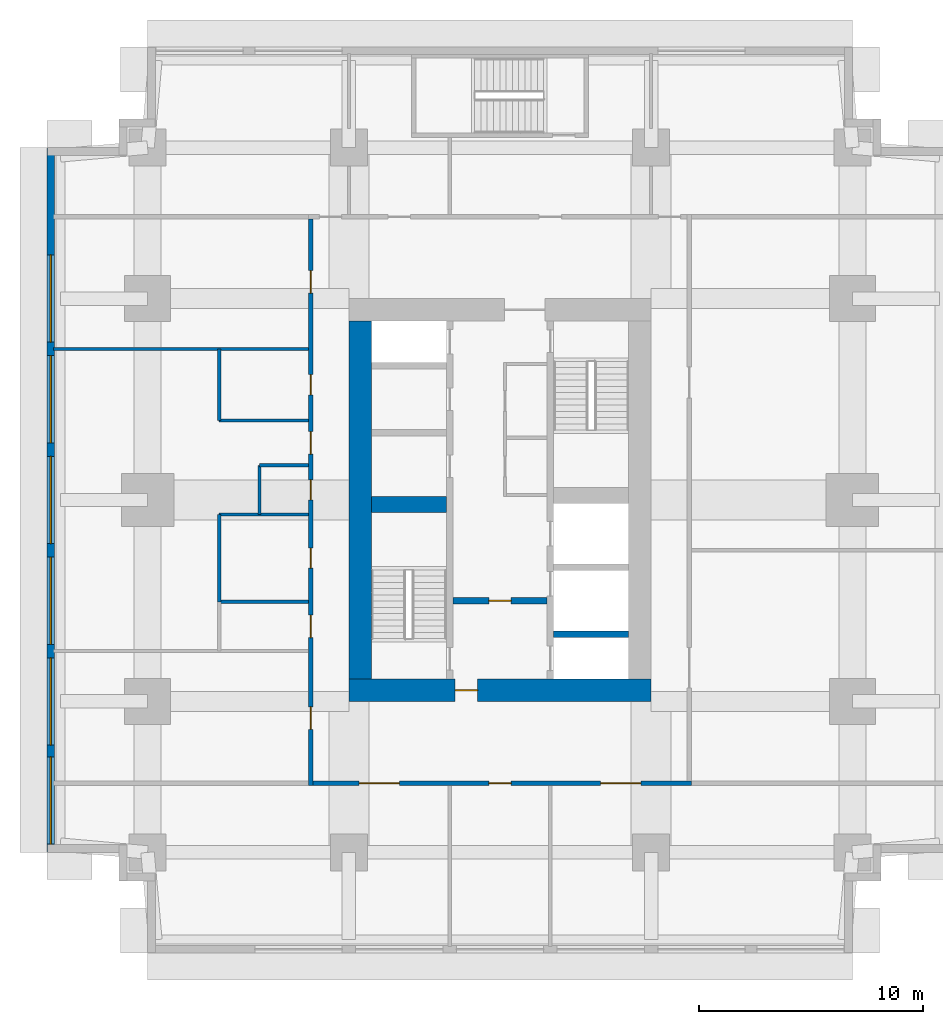
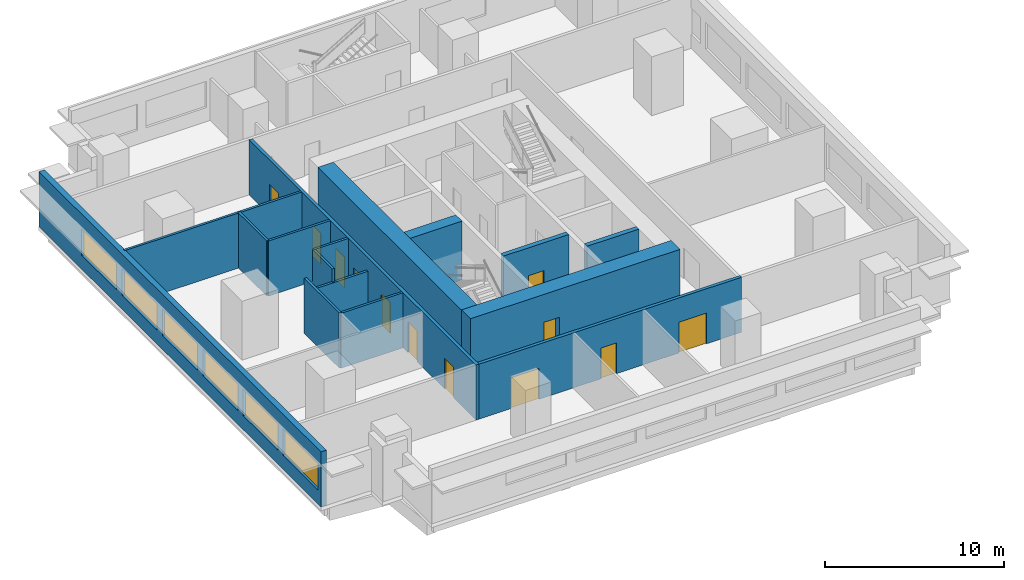
# One storey, part 3 of 11: 16 walls, 12 doors, 6 windows, 18 openings.
"""IFC4 building model written with IfcOpenShell, lengths in metres."""

from ifc_helpers import new_model, si_unit, direction, frame, frame_2d, origin, place, context, subcontext, project, spatial, rectangle, extrude, material, layer, layer_set, type_object, element, fill, save


model = new_model("IFC4")

# Units and contexts
model_context = context("Model", 3, precision=1e-05, world=origin(), true_north=direction((0.0, 1.0)))
body_context = subcontext(model_context, "Body", "Model", "MODEL_VIEW")
ifc_project = project(units=[si_unit("LENGTHUNIT", "METRE"), si_unit("AREAUNIT", "SQUARE_METRE"), si_unit("VOLUMEUNIT", "CUBIC_METRE"), si_unit("PLANEANGLEUNIT", "RADIAN"), si_unit("MASSUNIT", "GRAM", prefix="KILO")], contexts=[model_context])

# Site, building, storey
site_placement = place(None, origin())
site = spatial("IfcSite", under=ifc_project, at=site_placement, CompositionType="ELEMENT")
building_placement = place(site_placement, origin())
building = spatial("IfcBuilding", under=site, at=building_placement, Name="Namib Vertical Campus", CompositionType="ELEMENT")
storey_placement = place(building_placement, frame((0.0, 0.0, 193.0)))
storey = spatial("IfcBuildingStorey", under=building, at=storey_placement, Name="L45", CompositionType="ELEMENT", Elevation=193.0)

# Wall, opening, door
ifc_material_1 = material(Name="Concrete C60/75", Category="concrete")
ifc_layer_1 = layer(ifc_material_1, 0.300048828125)
ifc_layer_set_1 = layer_set([ifc_layer_1], Name="Concrete C60/75")
wall_type_1 = type_object("IfcWallType", Name="Core inner wall 300", PredefinedType="SHEAR", material=ifc_layer_set_1)
wall_1_placement = place(storey_placement, frame((18.14990234375, 15.75, 0.0), z_axis=(0.0, 0.0, 1.0), x_axis=(1.0, 0.0, 0.0)))
wall_1 = element("IfcWall", 1, at=wall_1_placement, inside=storey, type_object=wall_type_1, Name="Core inner wall A L45 W4", PredefinedType="SHEAR", context=body_context, shape_type="SweptSolid", body=[
    extrude(rectangle(XDim=4.2001953125, YDim=0.300048828125, at=frame_2d((2.10009765625, 0.0))), origin(), (0.0, 0.0, 1.0), 4.0),
])
opening_1_placement = place(wall_1_placement, frame((1.60009765625, 0.0, 0.0)))
opening_1 = element("IfcOpeningElement", 2, at=opening_1_placement, cuts=wall_1, Name="Opening FD5", PredefinedType="OPENING", context=body_context, shape_type="SweptSolid", body=[
    extrude(rectangle(XDim=1.0, YDim=2.10009765625, at=frame_2d((0.5, 1.050048828125))), frame((0.0, 0.159912109375, 0.0), z_axis=(0.0, -1.0, 0.0), x_axis=(1.0, 0.0, 0.0)), (0.0, 0.0, 1.0), 0.320068359375),
])
ifc_material_2 = material(Name="Steel fire door", Category="steel")
door_type_1 = type_object("IfcDoorType", Name="Fire door 1000x2100 120 min", OperationType="SINGLE_SWING_RIGHT", PredefinedType="DOOR", material=ifc_material_2)
door_1_placement = place(opening_1_placement, frame((1.0, 0.0, 0.0), z_axis=(0.0, 0.0, 1.0), x_axis=(-1.0, 0.0, 0.0)))
door_1 = element("IfcDoor", 3, at=door_1_placement, inside=storey, type_object=door_type_1, Name="Lobby door FD5 A L45", OperationType="SINGLE_SWING_RIGHT", OverallHeight=2.10009765625, OverallWidth=1.0, PredefinedType="DOOR", context=body_context, shape_type="SweptSolid", body=[
    extrude(rectangle(XDim=1.0, YDim=2.10009765625, at=frame_2d((0.5, 1.050048828125))), frame((0.0, 0.02490234375, 0.0), z_axis=(0.0, -1.0, 0.0), x_axis=(1.0, 0.0, 0.0)), (0.0, 0.0, 1.0), 0.050048828125),
])
fill(opening_1, door_1)

# Walls
wall_2_placement = place(storey_placement, frame((22.64990234375, 14.25, 0.0), z_axis=(0.0, 0.0, 1.0), x_axis=(1.0, 0.0, 0.0)))
element("IfcWall", 4, at=wall_2_placement, inside=storey, type_object=wall_type_1, Name="Core inner wall A L45 W5", PredefinedType="SHEAR", context=body_context, shape_type="SweptSolid", body=[
    extrude(rectangle(XDim=3.35009765625, YDim=0.300048828125, at=frame_2d((1.675048828125, 0.0))), origin(), (0.0, 0.0, 1.0), 4.0),
])
ifc_material_3 = material(Name="Concrete C60/75", Category="concrete")
ifc_layer_2 = layer(ifc_material_3, 0.699951171875)
ifc_layer_set_2 = layer_set([ifc_layer_2], Name="Concrete C60/75")
wall_type_2 = type_object("IfcWallType", Name="Core shear wall 700", PredefinedType="SHEAR", material=ifc_layer_set_2)
wall_3_placement = place(storey_placement, frame((14.5, 20.050048828125, 0.0), z_axis=(0.0, 0.0, 1.0), x_axis=(1.0, 0.0, 0.0)))
element("IfcWall", 5, at=wall_3_placement, inside=storey, type_object=wall_type_2, Name="Core shear wall A L45 W3", PredefinedType="SHEAR", context=body_context, shape_type="SweptSolid", body=[
    extrude(rectangle(XDim=3.35009765625, YDim=0.699951171875, at=frame_2d((1.675048828125, 0.0))), origin(), (0.0, 0.0, 1.0), 4.0),
])

# Wall, opening, door
ifc_material_4 = material(Name="Concrete C60/75", Category="concrete")
ifc_layer_3 = layer(ifc_material_4, 1.0)
ifc_layer_set_3 = layer_set([ifc_layer_3], Name="Concrete C60/75")
wall_type_3 = type_object("IfcWallType", Name="Core wall 1000", PredefinedType="SHEAR", material=ifc_layer_set_3)
wall_4_placement = place(storey_placement, frame((13.5, 11.75, 0.0), z_axis=(0.0, 0.0, 1.0), x_axis=(1.0, 0.0, 0.0)))
wall_4 = element("IfcWall", 6, at=wall_4_placement, inside=storey, type_object=wall_type_3, Name="Core wall A L45 1", PredefinedType="SHEAR", context=body_context, shape_type="SweptSolid", body=[
    extrude(rectangle(XDim=13.5, YDim=1.0, at=frame_2d((6.75, 0.0))), origin(), (0.0, 0.0, 1.0), 4.0),
])
opening_2_placement = place(wall_4_placement, frame((4.75, 0.0, 0.0)))
opening_2 = element("IfcOpeningElement", 7, at=opening_2_placement, cuts=wall_4, Name="Opening FD5", PredefinedType="OPENING", context=body_context, shape_type="SweptSolid", body=[
    extrude(rectangle(XDim=1.0, YDim=2.10009765625, at=frame_2d((0.5, 1.050048828125))), frame((0.0, 0.510009765625, 0.0), z_axis=(0.0, -1.0, 0.0), x_axis=(1.0, 0.0, 0.0)), (0.0, 0.0, 1.0), 1.02001953125),
])
door_2_placement = place(opening_2_placement, origin())
door_2 = element("IfcDoor", 8, at=door_2_placement, inside=storey, type_object=door_type_1, Name="Firefighting lobby door FD5 A L45", OperationType="SINGLE_SWING_LEFT", OverallHeight=2.10009765625, OverallWidth=1.0, PredefinedType="DOOR", context=body_context, shape_type="SweptSolid", body=[
    extrude(rectangle(XDim=1.0, YDim=2.10009765625, at=frame_2d((0.5, 1.050048828125))), frame((0.0, 0.02490234375, 0.0), z_axis=(0.0, -1.0, 0.0), x_axis=(1.0, 0.0, 0.0)), (0.0, 0.0, 1.0), 0.050048828125),
])
fill(opening_2, door_2)

# Wall
wall_5_placement = place(storey_placement, frame((14.0, 28.25, 0.0), z_axis=(0.0, 0.0, 1.0), x_axis=(0.0, -1.0, 0.0)))
element("IfcWall", 9, at=wall_5_placement, inside=storey, type_object=wall_type_3, Name="Core wall A L45 4", PredefinedType="SHEAR", context=body_context, shape_type="SweptSolid", body=[
    extrude(rectangle(XDim=16.0, YDim=1.0, at=frame_2d((8.0, 0.0))), origin(), (0.0, 0.0, 1.0), 4.0),
])

# Wall, openings, doors
ifc_material_5 = material(Name="Concrete masonry", Category="masonry")
ifc_layer_4 = layer(ifc_material_5, 0.199951171875)
ifc_layer_set_4 = layer_set([ifc_layer_4], Name="Corridor wall 200")
wall_type_4 = type_object("IfcWallType", Name="Corridor wall 200", PredefinedType="SOLIDWALL", material=ifc_layer_set_4)
wall_6_placement = place(storey_placement, frame((11.89990234375, 7.60009765625, 0.0), z_axis=(0.0, 0.0, 1.0), x_axis=(1.0, 0.0, 0.0)))
wall_6 = element("IfcWall", 10, at=wall_6_placement, inside=storey, type_object=wall_type_4, Name="Corridor wall A L45 CS", PredefinedType="SOLIDWALL", context=body_context, shape_type="SweptSolid", body=[
    extrude(rectangle(XDim=16.900146484375, YDim=0.199951171875, at=frame_2d((8.4501953125, 0.0))), origin(), (0.0, 0.0, 1.0), 3.75),
])
opening_3_placement = place(wall_6_placement, frame((2.050048828125, 0.0, 0.0)))
opening_3 = element("IfcOpeningElement", 11, at=opening_3_placement, cuts=wall_6, Name="Opening CD2", PredefinedType="OPENING", context=body_context, shape_type="SweptSolid", body=[
    extrude(rectangle(XDim=1.800048828125, YDim=2.10009765625, at=frame_2d((0.89990234375, 1.050048828125))), frame((0.0, 0.10986328125, 0.0), z_axis=(0.0, -1.0, 0.0), x_axis=(1.0, 0.0, 0.0)), (0.0, 0.0, 1.0), 0.219970703125),
])
opening_4_placement = place(wall_6_placement, frame((7.85009765625, 0.0, 0.0)))
opening_4 = element("IfcOpeningElement", 12, at=opening_4_placement, cuts=wall_6, Name="Opening CD1", PredefinedType="OPENING", context=body_context, shape_type="SweptSolid", body=[
    extrude(rectangle(XDim=1.0, YDim=2.10009765625, at=frame_2d((0.5, 1.050048828125))), frame((0.0, 0.10986328125, 0.0), z_axis=(0.0, -1.0, 0.0), x_axis=(1.0, 0.0, 0.0)), (0.0, 0.0, 1.0), 0.219970703125),
])
opening_5_placement = place(wall_6_placement, frame((12.85009765625, 0.0, 0.0)))
opening_5 = element("IfcOpeningElement", 13, at=opening_5_placement, cuts=wall_6, Name="Opening CD2", PredefinedType="OPENING", context=body_context, shape_type="SweptSolid", body=[
    extrude(rectangle(XDim=1.800048828125, YDim=2.10009765625, at=frame_2d((0.89990234375, 1.050048828125))), frame((0.0, 0.10986328125, 0.0), z_axis=(0.0, -1.0, 0.0), x_axis=(1.0, 0.0, 0.0)), (0.0, 0.0, 1.0), 0.219970703125),
])
ifc_material_6 = material(Name="Timber fire door leaf", Category="wood")
door_type_2 = type_object("IfcDoorType", Name="Corridor door 1000x2100 20 min", OperationType="SINGLE_SWING_LEFT", PredefinedType="DOOR", material=ifc_material_6)
door_3_placement = place(opening_4_placement, frame((1.0, 0.0, 0.0), z_axis=(0.0, 0.0, 1.0), x_axis=(-1.0, 0.0, 0.0)))
door_3 = element("IfcDoor", 14, at=door_3_placement, inside=storey, type_object=door_type_2, Name="Door CD1 A45-02", OperationType="SINGLE_SWING_RIGHT", OverallHeight=2.10009765625, OverallWidth=1.0, PredefinedType="DOOR", context=body_context, shape_type="SweptSolid", body=[
    extrude(rectangle(XDim=1.0, YDim=2.10009765625, at=frame_2d((0.5, 1.050048828125))), frame((0.0, 0.02490234375, 0.0), z_axis=(0.0, -1.0, 0.0), x_axis=(1.0, 0.0, 0.0)), (0.0, 0.0, 1.0), 0.050048828125),
])
fill(opening_4, door_3)
ifc_material_7 = material(Name="Timber fire door leaf", Category="wood")
door_type_3 = type_object("IfcDoorType", Name="Corridor door double 1800x2100 20 min", OperationType="DOUBLE_DOOR_SINGLE_SWING", PredefinedType="DOOR", material=ifc_material_7)
door_4_placement = place(opening_3_placement, frame((1.800048828125, 0.0, 0.0), z_axis=(0.0, 0.0, 1.0), x_axis=(-1.0, 0.0, 0.0)))
door_4 = element("IfcDoor", 15, at=door_4_placement, inside=storey, type_object=door_type_3, Name="Door CD2 A45-01", OperationType="DOUBLE_DOOR_SINGLE_SWING", OverallHeight=2.10009765625, OverallWidth=1.800048828125, PredefinedType="DOOR", context=body_context, shape_type="SweptSolid", body=[
    extrude(rectangle(XDim=1.800048828125, YDim=2.10009765625, at=frame_2d((0.89990234375, 1.050048828125))), frame((0.0, 0.02490234375, 0.0), z_axis=(0.0, -1.0, 0.0), x_axis=(1.0, 0.0, 0.0)), (0.0, 0.0, 1.0), 0.050048828125),
])
fill(opening_3, door_4)
door_5_placement = place(opening_5_placement, frame((1.800048828125, 0.0, 0.0), z_axis=(0.0, 0.0, 1.0), x_axis=(-1.0, 0.0, 0.0)))
door_5 = element("IfcDoor", 16, at=door_5_placement, inside=storey, type_object=door_type_3, Name="Door CD2 A45-03", OperationType="DOUBLE_DOOR_SINGLE_SWING", OverallHeight=2.10009765625, OverallWidth=1.800048828125, PredefinedType="DOOR", context=body_context, shape_type="SweptSolid", body=[
    extrude(rectangle(XDim=1.800048828125, YDim=2.10009765625, at=frame_2d((0.89990234375, 1.050048828125))), frame((0.0, 0.02490234375, 0.0), z_axis=(0.0, -1.0, 0.0), x_axis=(1.0, 0.0, 0.0)), (0.0, 0.0, 1.0), 0.050048828125),
])
fill(opening_5, door_5)

wall_7_placement = place(storey_placement, frame((11.800048828125, 32.800048828125, 0.0), z_axis=(0.0, 0.0, 1.0), x_axis=(0.0, -1.0, 0.0)))
wall_7 = element("IfcWall", 17, at=wall_7_placement, inside=storey, type_object=wall_type_4, Name="Corridor wall A L45 CW", PredefinedType="SOLIDWALL", context=body_context, shape_type="SweptSolid", body=[
    extrude(rectangle(XDim=25.300048828125, YDim=0.199951171875, at=frame_2d((12.64990234375, 0.0))), origin(), (0.0, 0.0, 1.0), 3.75),
])
opening_6_placement = place(wall_7_placement, frame((21.800048828125, 0.0, 0.0)))
opening_6 = element("IfcOpeningElement", 18, at=opening_6_placement, cuts=wall_7, Name="Opening CD1", PredefinedType="OPENING", context=body_context, shape_type="SweptSolid", body=[
    extrude(rectangle(XDim=1.0, YDim=2.10009765625, at=frame_2d((0.5, 1.050048828125))), frame((0.0, 0.10986328125, 0.0), z_axis=(0.0, -1.0, 0.0), x_axis=(1.0, 0.0, 0.0)), (0.0, 0.0, 1.0), 0.219970703125),
])
opening_7_placement = place(wall_7_placement, frame((17.699951171875, 0.0, 0.0)))
opening_7 = element("IfcOpeningElement", 19, at=opening_7_placement, cuts=wall_7, Name="Opening CD1", PredefinedType="OPENING", context=body_context, shape_type="SweptSolid", body=[
    extrude(rectangle(XDim=1.0, YDim=2.10009765625, at=frame_2d((0.5, 1.050048828125))), frame((0.0, 0.10986328125, 0.0), z_axis=(0.0, -1.0, 0.0), x_axis=(1.0, 0.0, 0.0)), (0.0, 0.0, 1.0), 0.219970703125),
])
opening_8_placement = place(wall_7_placement, frame((14.699951171875, 0.0, 0.0)))
opening_8 = element("IfcOpeningElement", 20, at=opening_8_placement, cuts=wall_7, Name="Opening CD3", PredefinedType="OPENING", context=body_context, shape_type="SweptSolid", body=[
    extrude(rectangle(XDim=0.89990234375, YDim=2.10009765625, at=frame_2d((0.449951171875, 1.050048828125))), frame((0.0, 0.10986328125, 0.0), z_axis=(0.0, -1.0, 0.0), x_axis=(1.0, 0.0, 0.0)), (0.0, 0.0, 1.0), 0.219970703125),
])
opening_9_placement = place(wall_7_placement, frame((11.64990234375, 0.0, 0.0)))
opening_9 = element("IfcOpeningElement", 21, at=opening_9_placement, cuts=wall_7, Name="Opening CD3", PredefinedType="OPENING", context=body_context, shape_type="SweptSolid", body=[
    extrude(rectangle(XDim=0.89990234375, YDim=2.10009765625, at=frame_2d((0.449951171875, 1.050048828125))), frame((0.0, 0.10986328125, 0.0), z_axis=(0.0, -1.0, 0.0), x_axis=(1.0, 0.0, 0.0)), (0.0, 0.0, 1.0), 0.219970703125),
])
opening_10_placement = place(wall_7_placement, frame((6.949951171875, 0.0, 0.0)))
opening_10 = element("IfcOpeningElement", 22, at=opening_10_placement, cuts=wall_7, Name="Opening CD3", PredefinedType="OPENING", context=body_context, shape_type="SweptSolid", body=[
    extrude(rectangle(XDim=0.89990234375, YDim=2.10009765625, at=frame_2d((0.449951171875, 1.050048828125))), frame((0.0, 0.10986328125, 0.0), z_axis=(0.0, -1.0, 0.0), x_axis=(1.0, 0.0, 0.0)), (0.0, 0.0, 1.0), 0.219970703125),
])
opening_11_placement = place(wall_7_placement, frame((9.5, 0.0, 0.0)))
opening_11 = element("IfcOpeningElement", 23, at=opening_11_placement, cuts=wall_7, Name="Opening CD1", PredefinedType="OPENING", context=body_context, shape_type="SweptSolid", body=[
    extrude(rectangle(XDim=1.0, YDim=2.10009765625, at=frame_2d((0.5, 1.050048828125))), frame((0.0, 0.10986328125, 0.0), z_axis=(0.0, -1.0, 0.0), x_axis=(1.0, 0.0, 0.0)), (0.0, 0.0, 1.0), 0.219970703125),
])
opening_12_placement = place(wall_7_placement, frame((2.300048828125, 0.0, 0.0)))
opening_12 = element("IfcOpeningElement", 24, at=opening_12_placement, cuts=wall_7, Name="Opening CD1", PredefinedType="OPENING", context=body_context, shape_type="SweptSolid", body=[
    extrude(rectangle(XDim=1.0, YDim=2.10009765625, at=frame_2d((0.5, 1.050048828125))), frame((0.0, 0.10986328125, 0.0), z_axis=(0.0, -1.0, 0.0), x_axis=(1.0, 0.0, 0.0)), (0.0, 0.0, 1.0), 0.219970703125),
])
door_6_placement = place(opening_6_placement, frame((1.0, 0.0, 0.0), z_axis=(0.0, 0.0, 1.0), x_axis=(-1.0, 0.0, 0.0)))
door_6 = element("IfcDoor", 25, at=door_6_placement, inside=storey, type_object=door_type_2, Name="Door CD1 A45-10", OperationType="SINGLE_SWING_RIGHT", OverallHeight=2.10009765625, OverallWidth=1.0, PredefinedType="DOOR", context=body_context, shape_type="SweptSolid", body=[
    extrude(rectangle(XDim=1.0, YDim=2.10009765625, at=frame_2d((0.5, 1.050048828125))), frame((0.0, 0.02490234375, 0.0), z_axis=(0.0, -1.0, 0.0), x_axis=(1.0, 0.0, 0.0)), (0.0, 0.0, 1.0), 0.050048828125),
])
fill(opening_6, door_6)
door_7_placement = place(opening_7_placement, frame((1.0, 0.0, 0.0), z_axis=(0.0, 0.0, 1.0), x_axis=(-1.0, 0.0, 0.0)))
door_7 = element("IfcDoor", 26, at=door_7_placement, inside=storey, type_object=door_type_2, Name="Door CD1 A45-11", OperationType="SINGLE_SWING_RIGHT", OverallHeight=2.10009765625, OverallWidth=1.0, PredefinedType="DOOR", context=body_context, shape_type="SweptSolid", body=[
    extrude(rectangle(XDim=1.0, YDim=2.10009765625, at=frame_2d((0.5, 1.050048828125))), frame((0.0, 0.02490234375, 0.0), z_axis=(0.0, -1.0, 0.0), x_axis=(1.0, 0.0, 0.0)), (0.0, 0.0, 1.0), 0.050048828125),
])
fill(opening_7, door_7)
door_8_placement = place(opening_11_placement, frame((1.0, 0.0, 0.0), z_axis=(0.0, 0.0, 1.0), x_axis=(-1.0, 0.0, 0.0)))
door_8 = element("IfcDoor", 27, at=door_8_placement, inside=storey, type_object=door_type_2, Name="Door CD1 A45-15", OperationType="SINGLE_SWING_RIGHT", OverallHeight=2.10009765625, OverallWidth=1.0, PredefinedType="DOOR", context=body_context, shape_type="SweptSolid", body=[
    extrude(rectangle(XDim=1.0, YDim=2.10009765625, at=frame_2d((0.5, 1.050048828125))), frame((0.0, 0.02490234375, 0.0), z_axis=(0.0, -1.0, 0.0), x_axis=(1.0, 0.0, 0.0)), (0.0, 0.0, 1.0), 0.050048828125),
])
fill(opening_11, door_8)
door_9_placement = place(opening_12_placement, frame((1.0, 0.0, 0.0), z_axis=(0.0, 0.0, 1.0), x_axis=(-1.0, 0.0, 0.0)))
door_9 = element("IfcDoor", 28, at=door_9_placement, inside=storey, type_object=door_type_2, Name="Door CD1 A45-16", OperationType="SINGLE_SWING_RIGHT", OverallHeight=2.10009765625, OverallWidth=1.0, PredefinedType="DOOR", context=body_context, shape_type="SweptSolid", body=[
    extrude(rectangle(XDim=1.0, YDim=2.10009765625, at=frame_2d((0.5, 1.050048828125))), frame((0.0, 0.02490234375, 0.0), z_axis=(0.0, -1.0, 0.0), x_axis=(1.0, 0.0, 0.0)), (0.0, 0.0, 1.0), 0.050048828125),
])
fill(opening_12, door_9)
ifc_material_8 = material(Name="Timber fire door leaf", Category="wood")
door_type_4 = type_object("IfcDoorType", Name="Corridor toilet door 900x2100 20 min", OperationType="SINGLE_SWING_LEFT", PredefinedType="DOOR", material=ifc_material_8)
door_10_placement = place(opening_8_placement, frame((0.89990234375, 0.0, 0.0), z_axis=(0.0, 0.0, 1.0), x_axis=(-1.0, 0.0, 0.0)))
door_10 = element("IfcDoor", 29, at=door_10_placement, inside=storey, type_object=door_type_4, Name="Door CD3 A45-12", OperationType="SINGLE_SWING_RIGHT", OverallHeight=2.10009765625, OverallWidth=0.89990234375, PredefinedType="DOOR", context=body_context, shape_type="SweptSolid", body=[
    extrude(rectangle(XDim=0.89990234375, YDim=2.10009765625, at=frame_2d((0.449951171875, 1.050048828125))), frame((0.0, 0.02490234375, 0.0), z_axis=(0.0, -1.0, 0.0), x_axis=(1.0, 0.0, 0.0)), (0.0, 0.0, 1.0), 0.050048828125),
])
fill(opening_8, door_10)
door_11_placement = place(opening_9_placement, frame((0.89990234375, 0.0, 0.0), z_axis=(0.0, 0.0, 1.0), x_axis=(-1.0, 0.0, 0.0)))
door_11 = element("IfcDoor", 30, at=door_11_placement, inside=storey, type_object=door_type_4, Name="Door CD3 A45-13", OperationType="SINGLE_SWING_RIGHT", OverallHeight=2.10009765625, OverallWidth=0.89990234375, PredefinedType="DOOR", context=body_context, shape_type="SweptSolid", body=[
    extrude(rectangle(XDim=0.89990234375, YDim=2.10009765625, at=frame_2d((0.449951171875, 1.050048828125))), frame((0.0, 0.02490234375, 0.0), z_axis=(0.0, -1.0, 0.0), x_axis=(1.0, 0.0, 0.0)), (0.0, 0.0, 1.0), 0.050048828125),
])
fill(opening_9, door_11)
door_12_placement = place(opening_10_placement, frame((0.89990234375, 0.0, 0.0), z_axis=(0.0, 0.0, 1.0), x_axis=(-1.0, 0.0, 0.0)))
door_12 = element("IfcDoor", 31, at=door_12_placement, inside=storey, type_object=door_type_4, Name="Door CD3 A45-14", OperationType="SINGLE_SWING_RIGHT", OverallHeight=2.10009765625, OverallWidth=0.89990234375, PredefinedType="DOOR", context=body_context, shape_type="SweptSolid", body=[
    extrude(rectangle(XDim=0.89990234375, YDim=2.10009765625, at=frame_2d((0.449951171875, 1.050048828125))), frame((0.0, 0.02490234375, 0.0), z_axis=(0.0, -1.0, 0.0), x_axis=(1.0, 0.0, 0.0)), (0.0, 0.0, 1.0), 0.050048828125),
])
fill(opening_10, door_12)

# Wall, openings, windows
ifc_material_9 = material(Name="Concrete C40/50", Category="concrete")
ifc_layer_5 = layer(ifc_material_9, 0.35009765625)
ifc_layer_set_5 = layer_set([ifc_layer_5], Name="Concrete C40/50")
wall_type_5 = type_object("IfcWallType", Name="External wall 350 bush-hammered concrete", PredefinedType="STANDARD", material=ifc_layer_set_5)
wall_8_placement = place(storey_placement, frame((0.175048828125, 35.97998046875, 0.0), z_axis=(0.0, 0.0, 1.0), x_axis=(0.0, -1.0, 0.0)))
wall_8 = element("IfcWall", 32, at=wall_8_placement, inside=storey, type_object=wall_type_5, Name="External wall L45 F16", PredefinedType="STANDARD", context=body_context, shape_type="SweptSolid", body=[
    extrude(rectangle(XDim=31.4599609375, YDim=0.35009765625, at=frame_2d((15.72998046875, 0.0))), origin(), (0.0, 0.0, 1.0), 3.75),
])
opening_13_placement = place(wall_8_placement, frame((27.2099609375, 0.0, 0.949951171875)))
opening_13 = element("IfcOpeningElement", 33, at=opening_13_placement, cuts=wall_8, Name="Opening W3", PredefinedType="OPENING", context=body_context, shape_type="SweptSolid", body=[
    extrude(rectangle(XDim=3.89990234375, YDim=1.800048828125, at=frame_2d((1.949951171875, 0.89990234375))), frame((0.0, 0.18505859375, 0.0), z_axis=(0.0, -1.0, 0.0), x_axis=(1.0, 0.0, 0.0)), (0.0, 0.0, 1.0), 0.3701171875),
])
opening_14_placement = place(wall_8_placement, frame((22.780029296875, 0.0, 0.949951171875)))
opening_14 = element("IfcOpeningElement", 34, at=opening_14_placement, cuts=wall_8, Name="Opening W3", PredefinedType="OPENING", context=body_context, shape_type="SweptSolid", body=[
    extrude(rectangle(XDim=3.89990234375, YDim=1.800048828125, at=frame_2d((1.949951171875, 0.89990234375))), frame((0.0, 0.18505859375, 0.0), z_axis=(0.0, -1.0, 0.0), x_axis=(1.0, 0.0, 0.0)), (0.0, 0.0, 1.0), 0.3701171875),
])
opening_15_placement = place(wall_8_placement, frame((18.280029296875, 0.0, 0.949951171875)))
opening_15 = element("IfcOpeningElement", 35, at=opening_15_placement, cuts=wall_8, Name="Opening W3", PredefinedType="OPENING", context=body_context, shape_type="SweptSolid", body=[
    extrude(rectangle(XDim=3.89990234375, YDim=1.800048828125, at=frame_2d((1.949951171875, 0.89990234375))), frame((0.0, 0.18505859375, 0.0), z_axis=(0.0, -1.0, 0.0), x_axis=(1.0, 0.0, 0.0)), (0.0, 0.0, 1.0), 0.3701171875),
])
opening_16_placement = place(wall_8_placement, frame((13.780029296875, 0.0, 0.949951171875)))
opening_16 = element("IfcOpeningElement", 36, at=opening_16_placement, cuts=wall_8, Name="Opening W3", PredefinedType="OPENING", context=body_context, shape_type="SweptSolid", body=[
    extrude(rectangle(XDim=3.89990234375, YDim=1.800048828125, at=frame_2d((1.949951171875, 0.89990234375))), frame((0.0, 0.18505859375, 0.0), z_axis=(0.0, -1.0, 0.0), x_axis=(1.0, 0.0, 0.0)), (0.0, 0.0, 1.0), 0.3701171875),
])
opening_17_placement = place(wall_8_placement, frame((9.280029296875, 0.0, 0.949951171875)))
opening_17 = element("IfcOpeningElement", 37, at=opening_17_placement, cuts=wall_8, Name="Opening W3", PredefinedType="OPENING", context=body_context, shape_type="SweptSolid", body=[
    extrude(rectangle(XDim=3.89990234375, YDim=1.800048828125, at=frame_2d((1.949951171875, 0.89990234375))), frame((0.0, 0.18505859375, 0.0), z_axis=(0.0, -1.0, 0.0), x_axis=(1.0, 0.0, 0.0)), (0.0, 0.0, 1.0), 0.3701171875),
])
opening_18_placement = place(wall_8_placement, frame((4.780029296875, 0.0, 0.949951171875)))
opening_18 = element("IfcOpeningElement", 38, at=opening_18_placement, cuts=wall_8, Name="Opening W3", PredefinedType="OPENING", context=body_context, shape_type="SweptSolid", body=[
    extrude(rectangle(XDim=3.89990234375, YDim=1.800048828125, at=frame_2d((1.949951171875, 0.89990234375))), frame((0.0, 0.18505859375, 0.0), z_axis=(0.0, -1.0, 0.0), x_axis=(1.0, 0.0, 0.0)), (0.0, 0.0, 1.0), 0.3701171875),
])
ifc_material_10 = material(Name="Dark tinted glass in black aluminium frame", Category="aluminium")
window_type = type_object("IfcWindowType", Name="Ribbon window 3900x1800", PartitioningType="SINGLE_PANEL", PredefinedType="WINDOW", material=ifc_material_10)
window_1_placement = place(opening_13_placement, origin())
window_1 = element("IfcWindow", 39, at=window_1_placement, inside=storey, type_object=window_type, Name="Window W3 L45 F16-1", OverallHeight=1.800048828125, OverallWidth=3.89990234375, PartitioningType="SINGLE_PANEL", PredefinedType="WINDOW", context=body_context, shape_type="SweptSolid", body=[
    extrude(rectangle(XDim=3.89990234375, YDim=1.800048828125, at=frame_2d((1.949951171875, 0.89990234375))), frame((0.0, 0.030029296875, 0.0), z_axis=(0.0, -1.0, 0.0), x_axis=(1.0, 0.0, 0.0)), (0.0, 0.0, 1.0), 0.06005859375),
])
fill(opening_13, window_1)
window_2_placement = place(opening_14_placement, origin())
window_2 = element("IfcWindow", 40, at=window_2_placement, inside=storey, type_object=window_type, Name="Window W3 L45 F16-2", OverallHeight=1.800048828125, OverallWidth=3.89990234375, PartitioningType="SINGLE_PANEL", PredefinedType="WINDOW", context=body_context, shape_type="SweptSolid", body=[
    extrude(rectangle(XDim=3.89990234375, YDim=1.800048828125, at=frame_2d((1.949951171875, 0.89990234375))), frame((0.0, 0.030029296875, 0.0), z_axis=(0.0, -1.0, 0.0), x_axis=(1.0, 0.0, 0.0)), (0.0, 0.0, 1.0), 0.06005859375),
])
fill(opening_14, window_2)
window_3_placement = place(opening_15_placement, origin())
window_3 = element("IfcWindow", 41, at=window_3_placement, inside=storey, type_object=window_type, Name="Window W3 L45 F16-3", OverallHeight=1.800048828125, OverallWidth=3.89990234375, PartitioningType="SINGLE_PANEL", PredefinedType="WINDOW", context=body_context, shape_type="SweptSolid", body=[
    extrude(rectangle(XDim=3.89990234375, YDim=1.800048828125, at=frame_2d((1.949951171875, 0.89990234375))), frame((0.0, 0.030029296875, 0.0), z_axis=(0.0, -1.0, 0.0), x_axis=(1.0, 0.0, 0.0)), (0.0, 0.0, 1.0), 0.06005859375),
])
fill(opening_15, window_3)
window_4_placement = place(opening_16_placement, origin())
window_4 = element("IfcWindow", 42, at=window_4_placement, inside=storey, type_object=window_type, Name="Window W3 L45 F16-4", OverallHeight=1.800048828125, OverallWidth=3.89990234375, PartitioningType="SINGLE_PANEL", PredefinedType="WINDOW", context=body_context, shape_type="SweptSolid", body=[
    extrude(rectangle(XDim=3.89990234375, YDim=1.800048828125, at=frame_2d((1.949951171875, 0.89990234375))), frame((0.0, 0.030029296875, 0.0), z_axis=(0.0, -1.0, 0.0), x_axis=(1.0, 0.0, 0.0)), (0.0, 0.0, 1.0), 0.06005859375),
])
fill(opening_16, window_4)
window_5_placement = place(opening_17_placement, origin())
window_5 = element("IfcWindow", 43, at=window_5_placement, inside=storey, type_object=window_type, Name="Window W3 L45 F16-5", OverallHeight=1.800048828125, OverallWidth=3.89990234375, PartitioningType="SINGLE_PANEL", PredefinedType="WINDOW", context=body_context, shape_type="SweptSolid", body=[
    extrude(rectangle(XDim=3.89990234375, YDim=1.800048828125, at=frame_2d((1.949951171875, 0.89990234375))), frame((0.0, 0.030029296875, 0.0), z_axis=(0.0, -1.0, 0.0), x_axis=(1.0, 0.0, 0.0)), (0.0, 0.0, 1.0), 0.06005859375),
])
fill(opening_17, window_5)
window_6_placement = place(opening_18_placement, origin())
window_6 = element("IfcWindow", 44, at=window_6_placement, inside=storey, type_object=window_type, Name="Window W3 L45 F16-6", OverallHeight=1.800048828125, OverallWidth=3.89990234375, PartitioningType="SINGLE_PANEL", PredefinedType="WINDOW", context=body_context, shape_type="SweptSolid", body=[
    extrude(rectangle(XDim=3.89990234375, YDim=1.800048828125, at=frame_2d((1.949951171875, 0.89990234375))), frame((0.0, 0.030029296875, 0.0), z_axis=(0.0, -1.0, 0.0), x_axis=(1.0, 0.0, 0.0)), (0.0, 0.0, 1.0), 0.06005859375),
])
fill(opening_18, window_6)

# Walls
ifc_material_11 = material(Name="Gypsum board on steel studs", Category="steel")
ifc_layer_6 = layer(ifc_material_11, 0.14990234375)
ifc_layer_set_6 = layer_set([ifc_layer_6], Name="Gypsum board on steel studs")
wall_type_6 = type_object("IfcWallType", Name="Partition 150", PredefinedType="PARTITIONING", material=ifc_layer_set_6)
wall_9_placement = place(storey_placement, frame((0.300048828125, 27.0, 0.0), z_axis=(0.0, 0.0, 1.0), x_axis=(1.0, 0.0, 0.0)))
element("IfcWall", 45, at=wall_9_placement, inside=storey, type_object=wall_type_6, Name="Partition A L45 PW2", PredefinedType="PARTITIONING", context=body_context, shape_type="SweptSolid", body=[
    extrude(rectangle(XDim=11.39990234375, YDim=0.14990234375, at=frame_2d((5.699951171875, 0.0))), origin(), (0.0, 0.0, 1.0), 3.75),
])
wall_10_placement = place(storey_placement, frame((11.699951171875, 15.699951171875, 0.0), z_axis=(0.0, 0.0, 1.0), x_axis=(-1.0, 0.0, 0.0)))
element("IfcWall", 46, at=wall_10_placement, inside=storey, type_object=wall_type_6, Name="Partition A L45 WR1", PredefinedType="PARTITIONING", context=body_context, shape_type="SweptSolid", body=[
    extrude(rectangle(XDim=4.0, YDim=0.14990234375, at=frame_2d((2.0, 0.0))), origin(), (0.0, 0.0, 1.0), 3.75),
])
wall_11_placement = place(storey_placement, frame((11.699951171875, 19.60009765625, 0.0), z_axis=(0.0, 0.0, 1.0), x_axis=(-1.0, 0.0, 0.0)))
element("IfcWall", 47, at=wall_11_placement, inside=storey, type_object=wall_type_6, Name="Partition A L45 WR2", PredefinedType="PARTITIONING", context=body_context, shape_type="SweptSolid", body=[
    extrude(rectangle(XDim=4.0, YDim=0.14990234375, at=frame_2d((2.0, 0.0))), origin(), (0.0, 0.0, 1.0), 2.85009765625),
])
wall_12_placement = place(storey_placement, frame((11.699951171875, 21.800048828125, 0.0), z_axis=(0.0, 0.0, 1.0), x_axis=(-1.0, 0.0, 0.0)))
element("IfcWall", 48, at=wall_12_placement, inside=storey, type_object=wall_type_6, Name="Partition A L45 WR3", PredefinedType="PARTITIONING", context=body_context, shape_type="SweptSolid", body=[
    extrude(rectangle(XDim=2.199951171875, YDim=0.14990234375, at=frame_2d((1.10009765625, 0.0))), origin(), (0.0, 0.0, 1.0), 3.75),
])
wall_13_placement = place(storey_placement, frame((11.699951171875, 23.800048828125, 0.0), z_axis=(0.0, 0.0, 1.0), x_axis=(-1.0, 0.0, 0.0)))
element("IfcWall", 49, at=wall_13_placement, inside=storey, type_object=wall_type_6, Name="Partition A L45 WR4", PredefinedType="PARTITIONING", context=body_context, shape_type="SweptSolid", body=[
    extrude(rectangle(XDim=4.0, YDim=0.14990234375, at=frame_2d((2.0, 0.0))), origin(), (0.0, 0.0, 1.0), 3.75),
])
wall_14_placement = place(storey_placement, frame((7.699951171875, 15.699951171875, 0.0), z_axis=(0.0, 0.0, 1.0), x_axis=(0.0, 1.0, 0.0)))
element("IfcWall", 50, at=wall_14_placement, inside=storey, type_object=wall_type_6, Name="Partition A L45 WB2", PredefinedType="PARTITIONING", context=body_context, shape_type="SweptSolid", body=[
    extrude(rectangle(XDim=3.900146484375, YDim=0.14990234375, at=frame_2d((1.9501953125, 0.0))), origin(), (0.0, 0.0, 1.0), 3.75),
])
wall_15_placement = place(storey_placement, frame((9.5, 19.60009765625, 0.0), z_axis=(0.0, 0.0, 1.0), x_axis=(0.0, 1.0, 0.0)))
element("IfcWall", 51, at=wall_15_placement, inside=storey, type_object=wall_type_6, Name="Partition A L45 WB3", PredefinedType="PARTITIONING", context=body_context, shape_type="SweptSolid", body=[
    extrude(rectangle(XDim=2.199951171875, YDim=0.14990234375, at=frame_2d((1.10009765625, 0.0))), origin(), (0.0, 0.0, 1.0), 3.75),
])
wall_16_placement = place(storey_placement, frame((7.699951171875, 23.800048828125, 0.0), z_axis=(0.0, 0.0, 1.0), x_axis=(0.0, 1.0, 0.0)))
element("IfcWall", 52, at=wall_16_placement, inside=storey, type_object=wall_type_6, Name="Partition A L45 WB4", PredefinedType="PARTITIONING", context=body_context, shape_type="SweptSolid", body=[
    extrude(rectangle(XDim=3.199951171875, YDim=0.14990234375, at=frame_2d((1.60009765625, 0.0))), origin(), (0.0, 0.0, 1.0), 3.75),
])

save(model, "model.ifc")
